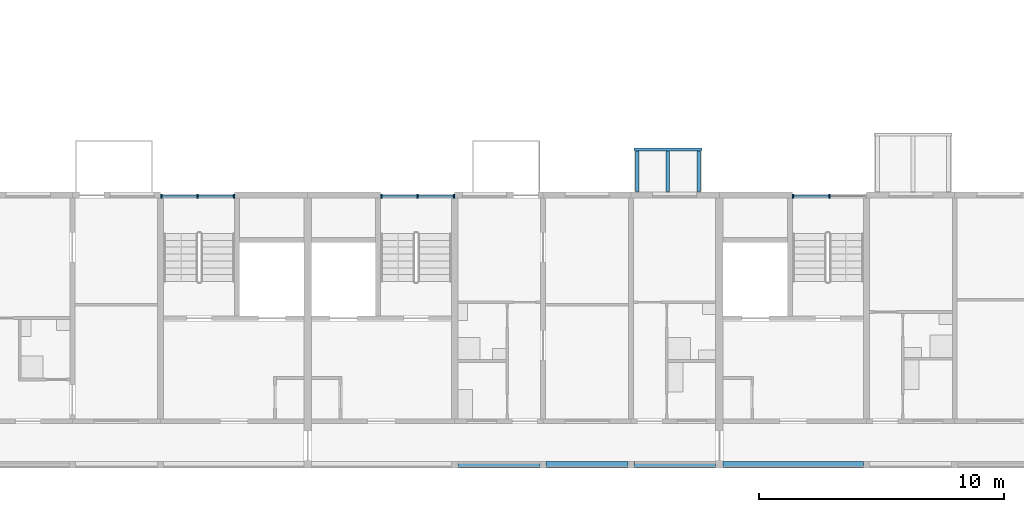
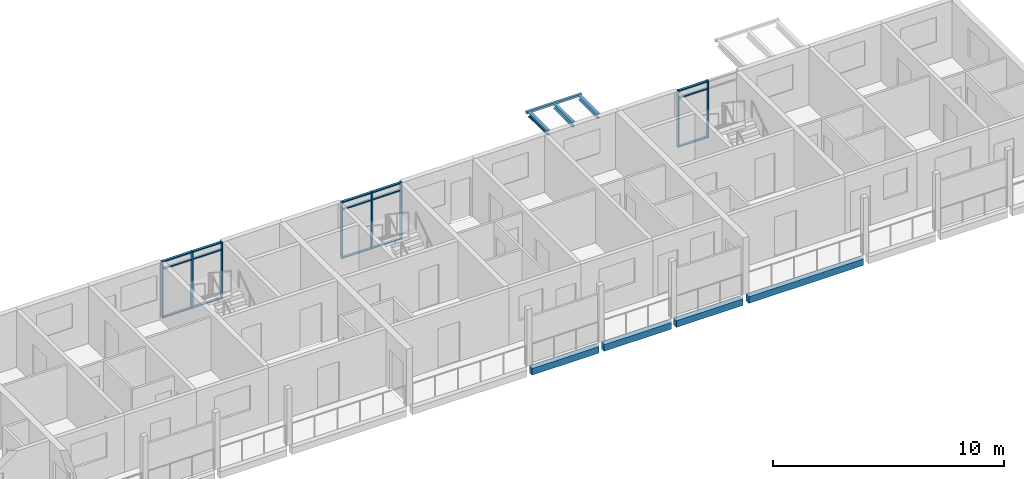
# One storey, part 19 of 94: 23 members, 8 beams, 3 elements without a shape of their own.
"""IFC4 building model written with IfcOpenShell, lengths in metres."""

from ifc_helpers import new_model, si_unit, direction, frame, origin, origin_2d, place, context, subcontext, project, spatial, rectangle, hollow_rectangle, i_section, extrude, material, material_profile, profile_set, type_object, element, aggregate, save


model = new_model("IFC4")

# Units and contexts
model_context = context("Model", 3, precision=1e-05, world=origin(), true_north=direction((0.0, 1.0)))
body_context = subcontext(model_context, "Body", "Model", "MODEL_VIEW")
ifc_project = project(units=[si_unit("LENGTHUNIT", "METRE"), si_unit("AREAUNIT", "SQUARE_METRE"), si_unit("VOLUMEUNIT", "CUBIC_METRE"), si_unit("PLANEANGLEUNIT", "RADIAN"), si_unit("MASSUNIT", "GRAM", prefix="KILO")], contexts=[model_context])

# Site, building, storey
site_placement = place(None, origin())
site = spatial("IfcSite", under=ifc_project, at=site_placement, CompositionType="ELEMENT")
building_placement = place(site_placement, origin())
building = spatial("IfcBuilding", under=site, at=building_placement, Name="Ridgestep Commons", CompositionType="ELEMENT")
storey_placement = place(building_placement, frame((0.0, 0.0, 24.0)))
storey = spatial("IfcBuildingStorey", under=building, at=storey_placement, Name="L08", CompositionType="ELEMENT", Elevation=24.0)

# Beams
ifc_material_1 = material(Name="Precast concrete C40/50", Category="concrete")
ifc_material_profile_1 = material_profile(ifc_material_1, rectangle(XDim=0.25, YDim=0.35009765625, at=origin_2d()), Name="PC 250x350")
ifc_profile_set_1 = profile_set([ifc_material_profile_1], Name="Precast concrete C40/50")
beam_type_1 = type_object("IfcBeamType", Name="Loggia edge beam 250 x 350", PredefinedType="SPANDREL", material=ifc_profile_set_1)
beam_1_placement = place(storey_placement, frame((220.125, 11.875, -0.375), z_axis=(1.0, 0.0, 0.0), x_axis=(0.0, 1.0, 0.0)))
element("IfcBeam", 1, at=beam_1_placement, inside=storey, type_object=beam_type_1, Name="Loggia edge beam D5T3 L08", PredefinedType="SPANDREL", context=body_context, shape_type="SweptSolid", body=[
    extrude(rectangle(XDim=0.25, YDim=0.35009765625, at=origin_2d()), origin(), (0.0, 0.0, 1.0), 3.35009765625),
])
beam_2_placement = place(storey_placement, frame((223.72509765625, 11.875, -0.375), z_axis=(1.0, 0.0, 0.0), x_axis=(0.0, 1.0, 0.0)))
element("IfcBeam", 2, at=beam_2_placement, inside=storey, type_object=beam_type_1, Name="Loggia edge beam D5T2 L08", PredefinedType="SPANDREL", context=body_context, shape_type="SweptSolid", body=[
    extrude(rectangle(XDim=0.25, YDim=0.35009765625, at=origin_2d()), origin(), (0.0, 0.0, 1.0), 3.349853515625),
])
beam_3_placement = place(storey_placement, frame((227.324951171875, 11.875, -0.375), z_axis=(1.0, 0.0, 0.0), x_axis=(0.0, 1.0, 0.0)))
element("IfcBeam", 3, at=beam_3_placement, inside=storey, type_object=beam_type_1, Name="Loggia edge beam D5T1 L08", PredefinedType="SPANDREL", context=body_context, shape_type="SweptSolid", body=[
    extrude(rectangle(XDim=0.25, YDim=0.35009765625, at=origin_2d()), origin(), (0.0, 0.0, 1.0), 3.324951171875),
])
beam_4_placement = place(storey_placement, frame((230.949951171875, 11.875, -0.375), z_axis=(1.0, 0.0, 0.0), x_axis=(0.0, 1.0, 0.0)))
element("IfcBeam", 4, at=beam_4_placement, inside=storey, type_object=beam_type_1, Name="Loggia edge beam D6C L08", PredefinedType="SPANDREL", context=body_context, shape_type="SweptSolid", body=[
    extrude(rectangle(XDim=0.25, YDim=0.35009765625, at=origin_2d()), origin(), (0.0, 0.0, 1.0), 5.72509765625),
])

# Curtain wall, members
ifc_material_2 = material(Name="Aluminium 6063-T6 and glass", Category="aluminium")
curtain_wall_type = type_object("IfcCurtainWallType", Name="Curtain wall stair strip", PredefinedType="NOTDEFINED", material=ifc_material_2)
curtain_wall_1_placement = place(storey_placement, origin())
curtain_wall_1 = element("IfcCurtainWall", 5, at=curtain_wall_1_placement, inside=storey, type_object=curtain_wall_type, Name="Curtain wall D4C level 08", PredefinedType="NOTDEFINED")
ifc_material_3 = material(Name="Aluminium 6063-T6", Category="aluminium")
ifc_material_profile_2 = material_profile(ifc_material_3, rectangle(XDim=0.159912109375, YDim=0.06005859375, at=origin_2d()), Name="Mullion 60 x 160")
ifc_profile_set_2 = profile_set([ifc_material_profile_2], Name="Aluminium 6063-T6")
member_type_1 = type_object("IfcMemberType", Name="Mullion 60 x 160", PredefinedType="MULLION", material=ifc_profile_set_2)
member_1_placement = place(storey_placement, frame((208.030029296875, 22.830078125, 0.0), z_axis=(0.0, 0.0, 1.0), x_axis=(0.0, 1.0, 0.0)))
member_1 = element("IfcMember", 6, at=member_1_placement, type_object=member_type_1, Name="CW1 mullion 1", PredefinedType="MULLION", context=body_context, shape_type="SweptSolid", body=[
    extrude(rectangle(XDim=0.159912109375, YDim=0.06005859375, at=origin_2d()), origin(), (0.0, 0.0, 1.0), 3.0),
])
member_2_placement = place(storey_placement, frame((209.512451171875, 22.830078125, 0.0), z_axis=(0.0, 0.0, 1.0), x_axis=(0.0, 1.0, 0.0)))
member_2 = element("IfcMember", 7, at=member_2_placement, type_object=member_type_1, Name="CW1 mullion 2", PredefinedType="MULLION", context=body_context, shape_type="SweptSolid", body=[
    extrude(rectangle(XDim=0.159912109375, YDim=0.06005859375, at=origin_2d()), origin(), (0.0, 0.0, 1.0), 3.0),
])
member_3_placement = place(storey_placement, frame((210.9951171875, 22.830078125, 0.0), z_axis=(0.0, 0.0, 1.0), x_axis=(0.0, 1.0, 0.0)))
member_3 = element("IfcMember", 8, at=member_3_placement, type_object=member_type_1, Name="CW1 mullion 3", PredefinedType="MULLION", context=body_context, shape_type="SweptSolid", body=[
    extrude(rectangle(XDim=0.159912109375, YDim=0.06005859375, at=origin_2d()), origin(), (0.0, 0.0, 1.0), 3.0),
])

curtain_wall_2_placement = place(storey_placement, origin())
curtain_wall_2 = element("IfcCurtainWall", 9, at=curtain_wall_2_placement, inside=storey, type_object=curtain_wall_type, Name="Curtain wall D5C level 08", PredefinedType="NOTDEFINED")
member_4_placement = place(storey_placement, frame((217.0048828125, 22.830078125, 0.0), z_axis=(0.0, 0.0, 1.0), x_axis=(0.0, 1.0, 0.0)))
member_4 = element("IfcMember", 10, at=member_4_placement, type_object=member_type_1, Name="CW1 mullion 1", PredefinedType="MULLION", context=body_context, shape_type="SweptSolid", body=[
    extrude(rectangle(XDim=0.159912109375, YDim=0.06005859375, at=origin_2d()), origin(), (0.0, 0.0, 1.0), 3.0),
])
member_5_placement = place(storey_placement, frame((218.487548828125, 22.830078125, 0.0), z_axis=(0.0, 0.0, 1.0), x_axis=(0.0, 1.0, 0.0)))
member_5 = element("IfcMember", 11, at=member_5_placement, type_object=member_type_1, Name="CW1 mullion 2", PredefinedType="MULLION", context=body_context, shape_type="SweptSolid", body=[
    extrude(rectangle(XDim=0.159912109375, YDim=0.06005859375, at=origin_2d()), origin(), (0.0, 0.0, 1.0), 3.0),
])
member_6_placement = place(storey_placement, frame((219.969970703125, 22.830078125, 0.0), z_axis=(0.0, 0.0, 1.0), x_axis=(0.0, 1.0, 0.0)))
member_6 = element("IfcMember", 12, at=member_6_placement, type_object=member_type_1, Name="CW1 mullion 3", PredefinedType="MULLION", context=body_context, shape_type="SweptSolid", body=[
    extrude(rectangle(XDim=0.159912109375, YDim=0.06005859375, at=origin_2d()), origin(), (0.0, 0.0, 1.0), 3.0),
])

curtain_wall_3_placement = place(storey_placement, origin())
curtain_wall_3 = element("IfcCurtainWall", 13, at=curtain_wall_3_placement, inside=storey, type_object=curtain_wall_type, Name="Curtain wall D6C level 08", PredefinedType="NOTDEFINED")
member_7_placement = place(storey_placement, frame((233.804931640625, 22.830078125, 0.0), z_axis=(0.0, 0.0, 1.0), x_axis=(0.0, 1.0, 0.0)))
member_7 = element("IfcMember", 14, at=member_7_placement, type_object=member_type_1, Name="CW1 mullion 1", PredefinedType="MULLION", context=body_context, shape_type="SweptSolid", body=[
    extrude(rectangle(XDim=0.159912109375, YDim=0.06005859375, at=origin_2d()), origin(), (0.0, 0.0, 1.0), 3.0),
])
member_8_placement = place(storey_placement, frame((235.28759765625, 22.830078125, 0.0), z_axis=(0.0, 0.0, 1.0), x_axis=(0.0, 1.0, 0.0)))
member_8 = element("IfcMember", 15, at=member_8_placement, type_object=member_type_1, Name="CW1 mullion 2", PredefinedType="MULLION", context=body_context, shape_type="SweptSolid", body=[
    extrude(rectangle(XDim=0.159912109375, YDim=0.06005859375, at=origin_2d()), origin(), (0.0, 0.0, 1.0), 3.0),
])

# Member
ifc_material_4 = material(Name="Aluminium 6063-T6", Category="aluminium")
ifc_material_profile_3 = material_profile(ifc_material_4, rectangle(XDim=0.1201171875, YDim=0.06005859375, at=origin_2d()), Name="Transom 60 x 120")
ifc_profile_set_3 = profile_set([ifc_material_profile_3], Name="Aluminium 6063-T6")
member_type_2 = type_object("IfcMemberType", Name="Transom 60 x 120", PredefinedType="USERDEFINED", material=ifc_profile_set_3)
member_9_placement = place(storey_placement, frame((208.06005859375, 22.830078125, 0.030029296875), z_axis=(1.0, 0.0, 0.0), x_axis=(0.0, 1.0, 0.0)))
member_9 = element("IfcMember", 16, at=member_9_placement, type_object=member_type_2, Name="CW1 transom 1.1", ObjectType="TRANSOM", PredefinedType="USERDEFINED", context=body_context, shape_type="SweptSolid", body=[
    extrude(rectangle(XDim=0.1201171875, YDim=0.06005859375, at=origin_2d()), origin(), (0.0, 0.0, 1.0), 1.42236328125),
])

member_10_placement = place(storey_placement, frame((208.06005859375, 22.830078125, 2.590087890625), z_axis=(1.0, 0.0, 0.0), x_axis=(0.0, 1.0, 0.0)))
member_10 = element("IfcMember", 17, at=member_10_placement, type_object=member_type_2, Name="CW1 transom 1.2", ObjectType="TRANSOM", PredefinedType="USERDEFINED", context=body_context, shape_type="SweptSolid", body=[
    extrude(rectangle(XDim=0.1201171875, YDim=0.06005859375, at=origin_2d()), origin(), (0.0, 0.0, 1.0), 1.42236328125),
])

member_11_placement = place(storey_placement, frame((208.06005859375, 22.830078125, 2.969970703125), z_axis=(1.0, 0.0, 0.0), x_axis=(0.0, 1.0, 0.0)))
member_11 = element("IfcMember", 18, at=member_11_placement, type_object=member_type_2, Name="CW1 transom 1.3", ObjectType="TRANSOM", PredefinedType="USERDEFINED", context=body_context, shape_type="SweptSolid", body=[
    extrude(rectangle(XDim=0.1201171875, YDim=0.06005859375, at=origin_2d()), origin(), (0.0, 0.0, 1.0), 1.42236328125),
])

member_12_placement = place(storey_placement, frame((209.54248046875, 22.830078125, 0.030029296875), z_axis=(1.0, 0.0, 0.0), x_axis=(0.0, 1.0, 0.0)))
member_12 = element("IfcMember", 19, at=member_12_placement, type_object=member_type_2, Name="CW1 transom 2.1", ObjectType="TRANSOM", PredefinedType="USERDEFINED", context=body_context, shape_type="SweptSolid", body=[
    extrude(rectangle(XDim=0.1201171875, YDim=0.06005859375, at=origin_2d()), origin(), (0.0, 0.0, 1.0), 1.422607421875),
])

member_13_placement = place(storey_placement, frame((209.54248046875, 22.830078125, 2.590087890625), z_axis=(1.0, 0.0, 0.0), x_axis=(0.0, 1.0, 0.0)))
member_13 = element("IfcMember", 20, at=member_13_placement, type_object=member_type_2, Name="CW1 transom 2.2", ObjectType="TRANSOM", PredefinedType="USERDEFINED", context=body_context, shape_type="SweptSolid", body=[
    extrude(rectangle(XDim=0.1201171875, YDim=0.06005859375, at=origin_2d()), origin(), (0.0, 0.0, 1.0), 1.422607421875),
])

member_14_placement = place(storey_placement, frame((209.54248046875, 22.830078125, 2.969970703125), z_axis=(1.0, 0.0, 0.0), x_axis=(0.0, 1.0, 0.0)))
member_14 = element("IfcMember", 21, at=member_14_placement, type_object=member_type_2, Name="CW1 transom 2.3", ObjectType="TRANSOM", PredefinedType="USERDEFINED", context=body_context, shape_type="SweptSolid", body=[
    extrude(rectangle(XDim=0.1201171875, YDim=0.06005859375, at=origin_2d()), origin(), (0.0, 0.0, 1.0), 1.422607421875),
])

aggregate(curtain_wall_1, [member_1, member_2, member_3, member_9, member_10, member_11, member_12, member_13, member_14])

member_15_placement = place(storey_placement, frame((217.034912109375, 22.830078125, 0.030029296875), z_axis=(1.0, 0.0, 0.0), x_axis=(0.0, 1.0, 0.0)))
member_15 = element("IfcMember", 22, at=member_15_placement, type_object=member_type_2, Name="CW1 transom 1.1", ObjectType="TRANSOM", PredefinedType="USERDEFINED", context=body_context, shape_type="SweptSolid", body=[
    extrude(rectangle(XDim=0.1201171875, YDim=0.06005859375, at=origin_2d()), origin(), (0.0, 0.0, 1.0), 1.422607421875),
])

member_16_placement = place(storey_placement, frame((217.034912109375, 22.830078125, 2.590087890625), z_axis=(1.0, 0.0, 0.0), x_axis=(0.0, 1.0, 0.0)))
member_16 = element("IfcMember", 23, at=member_16_placement, type_object=member_type_2, Name="CW1 transom 1.2", ObjectType="TRANSOM", PredefinedType="USERDEFINED", context=body_context, shape_type="SweptSolid", body=[
    extrude(rectangle(XDim=0.1201171875, YDim=0.06005859375, at=origin_2d()), origin(), (0.0, 0.0, 1.0), 1.422607421875),
])

member_17_placement = place(storey_placement, frame((217.034912109375, 22.830078125, 2.969970703125), z_axis=(1.0, 0.0, 0.0), x_axis=(0.0, 1.0, 0.0)))
member_17 = element("IfcMember", 24, at=member_17_placement, type_object=member_type_2, Name="CW1 transom 1.3", ObjectType="TRANSOM", PredefinedType="USERDEFINED", context=body_context, shape_type="SweptSolid", body=[
    extrude(rectangle(XDim=0.1201171875, YDim=0.06005859375, at=origin_2d()), origin(), (0.0, 0.0, 1.0), 1.422607421875),
])

member_18_placement = place(storey_placement, frame((218.517578125, 22.830078125, 0.030029296875), z_axis=(1.0, 0.0, 0.0), x_axis=(0.0, 1.0, 0.0)))
member_18 = element("IfcMember", 25, at=member_18_placement, type_object=member_type_2, Name="CW1 transom 2.1", ObjectType="TRANSOM", PredefinedType="USERDEFINED", context=body_context, shape_type="SweptSolid", body=[
    extrude(rectangle(XDim=0.1201171875, YDim=0.06005859375, at=origin_2d()), origin(), (0.0, 0.0, 1.0), 1.42236328125),
])

member_19_placement = place(storey_placement, frame((218.517578125, 22.830078125, 2.590087890625), z_axis=(1.0, 0.0, 0.0), x_axis=(0.0, 1.0, 0.0)))
member_19 = element("IfcMember", 26, at=member_19_placement, type_object=member_type_2, Name="CW1 transom 2.2", ObjectType="TRANSOM", PredefinedType="USERDEFINED", context=body_context, shape_type="SweptSolid", body=[
    extrude(rectangle(XDim=0.1201171875, YDim=0.06005859375, at=origin_2d()), origin(), (0.0, 0.0, 1.0), 1.42236328125),
])

member_20_placement = place(storey_placement, frame((218.517578125, 22.830078125, 2.969970703125), z_axis=(1.0, 0.0, 0.0), x_axis=(0.0, 1.0, 0.0)))
member_20 = element("IfcMember", 27, at=member_20_placement, type_object=member_type_2, Name="CW1 transom 2.3", ObjectType="TRANSOM", PredefinedType="USERDEFINED", context=body_context, shape_type="SweptSolid", body=[
    extrude(rectangle(XDim=0.1201171875, YDim=0.06005859375, at=origin_2d()), origin(), (0.0, 0.0, 1.0), 1.42236328125),
])

aggregate(curtain_wall_2, [member_4, member_5, member_6, member_15, member_16, member_17, member_18, member_19, member_20])

member_21_placement = place(storey_placement, frame((233.8349609375, 22.830078125, 0.030029296875), z_axis=(1.0, 0.0, 0.0), x_axis=(0.0, 1.0, 0.0)))
member_21 = element("IfcMember", 28, at=member_21_placement, type_object=member_type_2, Name="CW1 transom 1.1", ObjectType="TRANSOM", PredefinedType="USERDEFINED", context=body_context, shape_type="SweptSolid", body=[
    extrude(rectangle(XDim=0.1201171875, YDim=0.06005859375, at=origin_2d()), origin(), (0.0, 0.0, 1.0), 1.422607421875),
])

member_22_placement = place(storey_placement, frame((233.8349609375, 22.830078125, 2.590087890625), z_axis=(1.0, 0.0, 0.0), x_axis=(0.0, 1.0, 0.0)))
member_22 = element("IfcMember", 29, at=member_22_placement, type_object=member_type_2, Name="CW1 transom 1.2", ObjectType="TRANSOM", PredefinedType="USERDEFINED", context=body_context, shape_type="SweptSolid", body=[
    extrude(rectangle(XDim=0.1201171875, YDim=0.06005859375, at=origin_2d()), origin(), (0.0, 0.0, 1.0), 1.422607421875),
])

member_23_placement = place(storey_placement, frame((233.8349609375, 22.830078125, 2.969970703125), z_axis=(1.0, 0.0, 0.0), x_axis=(0.0, 1.0, 0.0)))
member_23 = element("IfcMember", 30, at=member_23_placement, type_object=member_type_2, Name="CW1 transom 1.3", ObjectType="TRANSOM", PredefinedType="USERDEFINED", context=body_context, shape_type="SweptSolid", body=[
    extrude(rectangle(XDim=0.1201171875, YDim=0.06005859375, at=origin_2d()), origin(), (0.0, 0.0, 1.0), 1.422607421875),
])

aggregate(curtain_wall_3, [member_7, member_8, member_21, member_22, member_23])

# Beams
ifc_material_5 = material(Name="Weathering steel S355J2W", Category="steel")
ifc_material_profile_4 = material_profile(ifc_material_5, i_section(OverallWidth=0.14599609375, OverallDepth=0.25146484375, WebThickness=0.006103515625, FlangeThickness=0.008544921875, FilletRadius=0.007568359375, at=origin_2d()), Name="UB 254x146x31")
ifc_profile_set_4 = profile_set([ifc_material_profile_4], Name="Weathering steel S355J2W")
beam_type_2 = type_object("IfcBeamType", Name="Tray arm UB 254x146x31", PredefinedType="BEAM", material=ifc_profile_set_4)
for number, where, z_axis, x_axis, name in (
    (31, (227.449951171875, 23.014892578125, 2.8642578125), (0.0, 1.0, 0.0), (-1.0, 0.0, 0.0), "Tray arm D5T1-09.1"),
    (32, (228.699951171875, 23.014892578125, 2.8642578125), (0.0, 1.0, 0.0), (-1.0, 0.0, 0.0), "Tray arm D5T1-09.2"),
    (33, (229.949951171875, 23.014892578125, 2.8642578125), (0.0, 1.0, 0.0), (-1.0, 0.0, 0.0), "Tray arm D5T1-09.3"),
):
    element("IfcBeam", number, at=place(storey_placement, frame(where, z_axis=z_axis, x_axis=x_axis)), inside=storey, type_object=beam_type_2, Name=name, PredefinedType="BEAM", context=body_context, shape_type="SweptSolid", body=[
        extrude(i_section(OverallWidth=0.14599609375, OverallDepth=0.25146484375, WebThickness=0.006103515625, FlangeThickness=0.008544921875, FilletRadius=0.007568359375, at=origin_2d()), origin(), (0.0, 0.0, 1.0), 1.6650390625),
    ])
ifc_material_6 = material(Name="Weathering steel S355J2W", Category="steel")
ifc_material_profile_5 = material_profile(ifc_material_6, hollow_rectangle(XDim=0.1201171875, YDim=0.1201171875, WallThickness=0.00634765625, InnerFilletRadius=0.00634765625, OuterFilletRadius=0.009521484375, at=origin_2d()), Name="SHS 120x120x6.3")
ifc_profile_set_5 = profile_set([ifc_material_profile_5], Name="Weathering steel S355J2W")
beam_type_3 = type_object("IfcBeamType", Name="Tray edge member SHS 120x120x6.3", PredefinedType="BEAM", material=ifc_profile_set_5)
beam_5_placement = place(storey_placement, frame((227.330078125, 24.739990234375, 2.929931640625), z_axis=(1.0, 0.0, 0.0), x_axis=(0.0, 0.0, 1.0)))
element("IfcBeam", 34, at=beam_5_placement, inside=storey, type_object=beam_type_3, Name="Tray edge member D5T1-09", PredefinedType="BEAM", context=body_context, shape_type="SweptSolid", body=[
    extrude(hollow_rectangle(XDim=0.1201171875, YDim=0.1201171875, WallThickness=0.00634765625, InnerFilletRadius=0.00634765625, OuterFilletRadius=0.009521484375, at=origin_2d()), origin(), (0.0, 0.0, 1.0), 2.739990234375),
])

save(model, "model.ifc")
